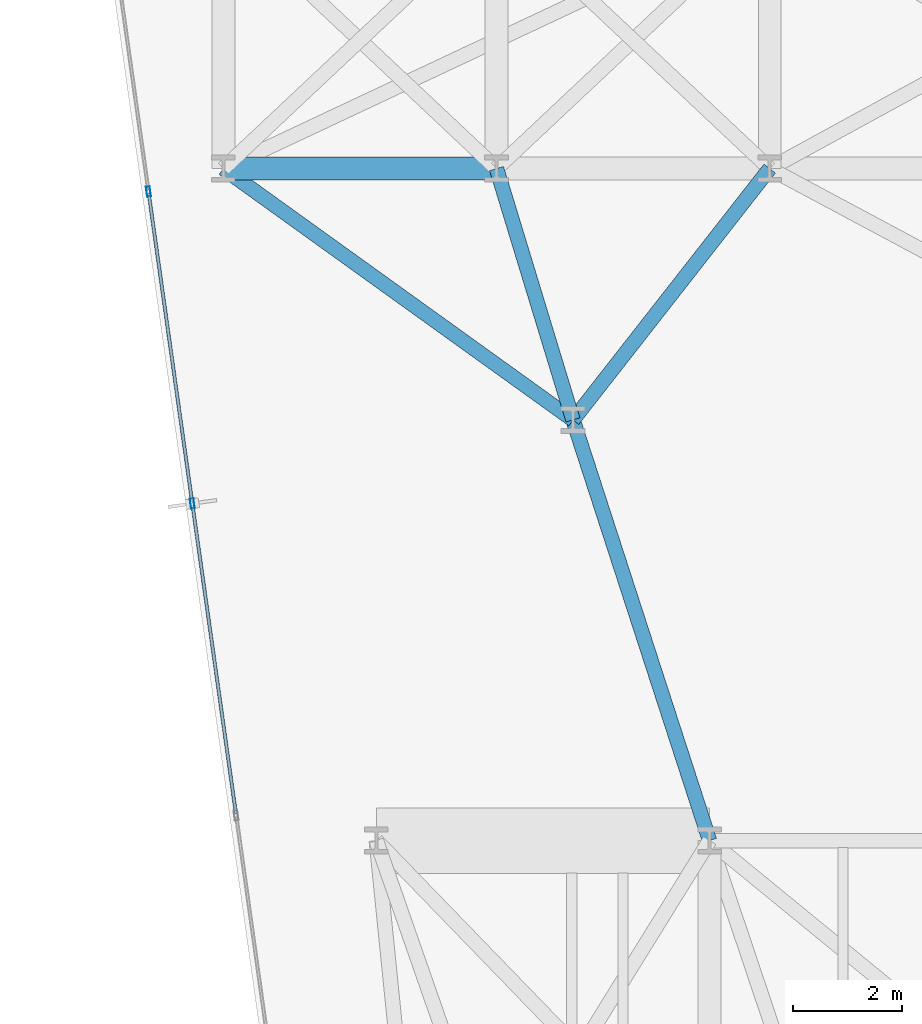
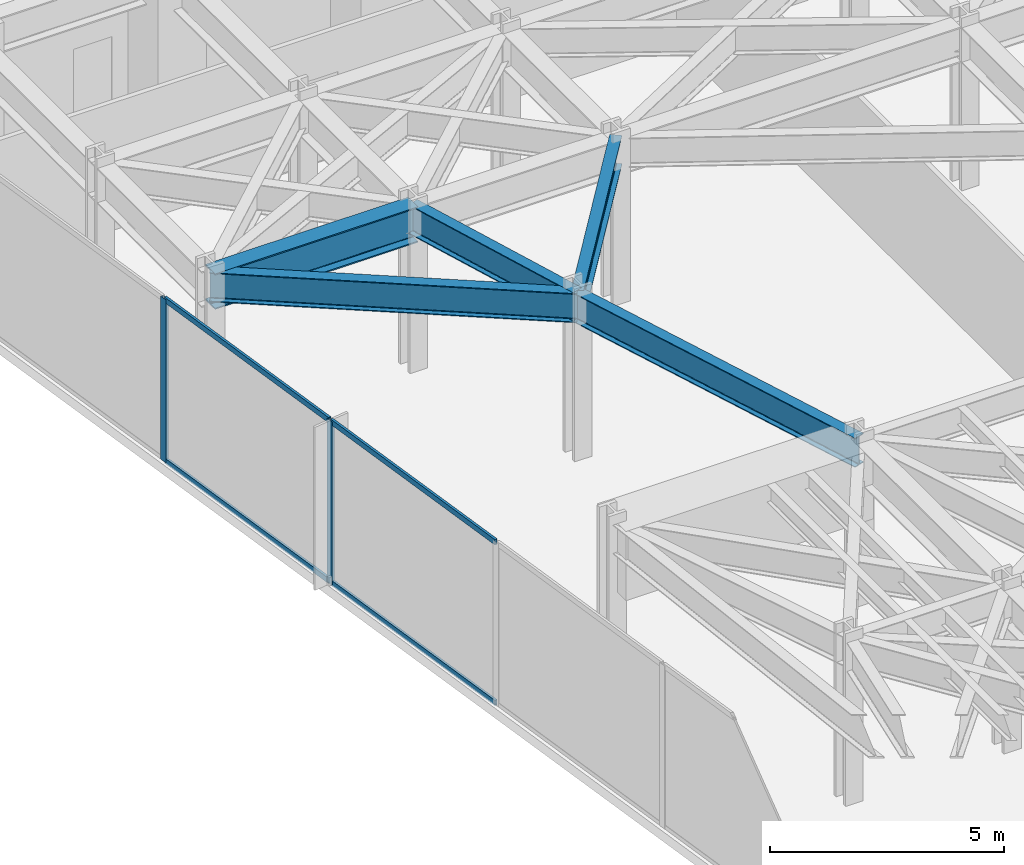
# One storey, part 7 of 28: 6 members, 5 beams, 1 element without a shape of its own.
"""IFC4 building model written with IfcOpenShell, lengths in metres."""

import ifcopenshell
import ifcopenshell.guid

model = None  # the IFC model being written
_history = None  # IfcOwnerHistory: only IFC2X3 demands one
_inside = {}  # id of a spatial element -> (the spatial element, [elements in it])
_under = {}  # id of a project, library or spatial element -> (it, [spatial elements below it])
_declared = {}  # id of a project -> (the project, [libraries it declares])
_typed = {}  # id of a type object -> (the type object, [elements of that type])
_made_of = {}  # id of a material, layer set ... -> (it, [elements and type objects made of it])


def new_model(schema):
    """Start an empty IFC model of exactly this schema.

    Asked for "IFC4X3", IfcOpenShell would pick the latest addendum, in which some entities
    have other attributes; the version numbers below select the first issue.
    IFC2X3 requires an IfcOwnerHistory on every rooted entity: one is made here for all.
    """
    global model, _history
    if schema == "IFC4X3":
        model = ifcopenshell.file(schema_version=(4, 3, 0, 0))
    else:
        model = ifcopenshell.file(schema=schema)
    _inside.clear()
    _under.clear()
    _declared.clear()
    _typed.clear()
    _made_of.clear()
    _history = None
    if model.schema == "IFC2X3":
        org = make("IfcOrganization", Name="unknown")
        user = make(
            "IfcPersonAndOrganization",
            ThePerson=make("IfcPerson", FamilyName="unknown"),
            TheOrganization=org,
        )
        app = make(
            "IfcApplication",
            ApplicationDeveloper=org,
            Version="unknown",
            ApplicationFullName="unknown",
            ApplicationIdentifier="unknown",
        )
        _history = make(
            "IfcOwnerHistory",
            OwningUser=user,
            OwningApplication=app,
            ChangeAction="ADDED",
            CreationDate=0,
        )
    return model


def make(cls, **values):
    """One entity of the class cls with the attributes given. An attribute that is None is left unset."""
    return model.create_entity(
        cls, **{name: value for name, value in values.items() if value is not None}
    )


def rooted(cls, **values):
    """An entity with a GlobalId (a new one), such as an element, a storey or a relation."""
    return make(cls, GlobalId=ifcopenshell.guid.new(), OwnerHistory=_history, **values)


def si_unit(unit_type, name, prefix=None):
    """IfcSIUnit, for example si_unit("LENGTHUNIT", "METRE", prefix="MILLI")."""
    return make("IfcSIUnit", UnitType=unit_type, Prefix=prefix, Name=name)


def assignment(units):
    """IfcUnitAssignment: the units of a project."""
    return None if units is None else make("IfcUnitAssignment", Units=units)


def point(xyz):
    """IfcCartesianPoint."""
    return None if xyz is None else make("IfcCartesianPoint", Coordinates=xyz)


def direction(xyz):
    """IfcDirection."""
    return None if xyz is None else make("IfcDirection", DirectionRatios=xyz)


def frame(location, z_axis=None, x_axis=None):
    """IfcAxis2Placement3D, a coordinate frame: its origin and axes. An axis left out is left unset."""
    return make(
        "IfcAxis2Placement3D",
        Location=point(location),
        Axis=direction(z_axis),
        RefDirection=direction(x_axis),
    )


def frame_2d(location, x_axis=None):
    """IfcAxis2Placement2D, a coordinate frame in the plane: its origin and x axis."""
    return make(
        "IfcAxis2Placement2D", Location=point(location), RefDirection=direction(x_axis)
    )


def origin():
    """The frame at (0, 0, 0) with its axes left unset."""
    return frame((0.0, 0.0, 0.0))


def origin_2d():
    """The frame at (0, 0) in the plane with its x axis left unset."""
    return frame_2d((0.0, 0.0))


def place(relative_to, where):
    """IfcLocalPlacement: puts the frame where relative to a parent placement (None: the world)."""
    return make(
        "IfcLocalPlacement", PlacementRelTo=relative_to, RelativePlacement=where
    )


def context(
    kind, dimensions, precision=None, world=None, true_north=None, identifier=None
):
    """IfcGeometricRepresentationContext, for example the 3D "Model" context."""
    return make(
        "IfcGeometricRepresentationContext",
        ContextIdentifier=identifier,
        ContextType=kind,
        CoordinateSpaceDimension=dimensions,
        Precision=precision,
        WorldCoordinateSystem=world,
        TrueNorth=true_north,
    )


def subcontext(parent, identifier, kind, view, scale=None):
    """IfcGeometricRepresentationSubContext, for example "Body" below "Model"."""
    return make(
        "IfcGeometricRepresentationSubContext",
        ContextIdentifier=identifier,
        ContextType=kind,
        ParentContext=parent,
        TargetScale=scale,
        TargetView=view,
    )


def project(units=None, contexts=None):
    """IfcProject with its units and contexts."""
    return rooted(
        "IfcProject",
        Name="project",
        RepresentationContexts=contexts,
        UnitsInContext=assignment(units),
    )


def spatial(cls, under=None, at=None, **own):
    """A site, building, storey or space (cls), placed at a placement, below another one or the project."""
    s = rooted(cls, ObjectPlacement=at, **own)
    if under is not None:
        _under.setdefault(under.id(), (under, []))[1].append(s)
    return s


def profile(cls, at=None, kind="AREA", **sizes):
    """A parametric profile (cls). Its sizes go by their IFC names, for example OverallWidth=200.0."""
    return make(cls, ProfileType=kind, Position=at, **sizes)


def hollow_rectangle(**sizes):
    """IfcRectangleHollowProfileDef."""
    return profile("IfcRectangleHollowProfileDef", **sizes)


def i_section(**sizes):
    """IfcIShapeProfileDef."""
    return profile("IfcIShapeProfileDef", **sizes)


def extrude(swept, where, along, depth):
    """IfcExtrudedAreaSolid: the profile swept, set in the frame where, extruded along a direction by depth."""
    return make(
        "IfcExtrudedAreaSolid",
        SweptArea=swept,
        Position=where,
        ExtrudedDirection=direction(along),
        Depth=depth,
    )


def shape(context_of_items, identifier, shape_type, items):
    """IfcShapeRepresentation: the items that make up one representation, for example the "Body"."""
    return make(
        "IfcShapeRepresentation",
        ContextOfItems=context_of_items,
        RepresentationIdentifier=identifier,
        RepresentationType=shape_type,
        Items=items,
    )


def material(Name=None, Category=None):
    """IfcMaterial."""
    return make("IfcMaterial", Name=Name, Category=Category)


def layer(
    of_material, thickness, ventilated=None, Name=None, Category=None, Priority=None
):
    """IfcMaterialLayer: one layer of a wall or slab, of a material (None: an air gap)."""
    return make(
        "IfcMaterialLayer",
        Material=of_material,
        LayerThickness=thickness,
        IsVentilated=ventilated,
        Name=Name,
        Category=Category,
        Priority=Priority,
    )


def layer_set(layers, Name=None):
    """IfcMaterialLayerSet."""
    return make("IfcMaterialLayerSet", MaterialLayers=layers, LayerSetName=Name)


def material_profile(
    of_material, cross_section, Name=None, Category=None, Priority=None
):
    """IfcMaterialProfile: a cross section and its material."""
    return make(
        "IfcMaterialProfile",
        Name=Name,
        Material=of_material,
        Profile=cross_section,
        Priority=Priority,
        Category=Category,
    )


def profile_set(profiles, Name=None, composite=None):
    """IfcMaterialProfileSet."""
    return make(
        "IfcMaterialProfileSet",
        Name=Name,
        MaterialProfiles=profiles,
        CompositeProfile=composite,
    )


def made_of(thing, what):
    """Note that an element or type object is made of a material, layer set ...; save() writes the relation."""
    if what is not None:
        _made_of.setdefault(what.id(), (what, []))[1].append(thing)
    return thing


def type_object(cls, material=None, **own):
    """A type object (cls), such as IfcWallType, which elements share."""
    return made_of(rooted(cls, **own), material)


def element(
    cls,
    number,
    at=None,
    inside=None,
    cuts=None,
    type_object=None,
    material=None,
    context=None,
    identifier="Body",
    shape_type=None,
    held_by="IfcProductDefinitionShape",
    body=None,
    shapes=None,
    **own,
):
    """One element of the class cls, such as IfcWall. Its Tag is "e" and its number.

    at: its placement. inside: the storey or other place that contains it. cuts: it is an
    opening in that element (IfcRelVoidsElement). A single representation is given by context,
    identifier, shape_type and body (its items); several are given by shapes. held_by: the class
    of the entity that holds the representations. save() writes the other relations.
    """
    e = rooted(cls, Tag="e%d" % number, ObjectPlacement=at, **own)
    if body is not None:
        shapes = [shape(context, identifier, shape_type, body)]
    if shapes is not None:
        e.Representation = make(held_by, Representations=shapes)
    if inside is not None:
        _inside.setdefault(inside.id(), (inside, []))[1].append(e)
    if cuts is not None:
        rooted(
            "IfcRelVoidsElement", RelatingBuildingElement=cuts, RelatedOpeningElement=e
        )
    if type_object is not None:
        _typed.setdefault(type_object.id(), (type_object, []))[1].append(e)
    return made_of(e, material)


def aggregate(whole, parts):
    """IfcRelAggregates: a whole, such as a stair, and the parts it consists of."""
    return rooted("IfcRelAggregates", RelatingObject=whole, RelatedObjects=parts)


def save(model, path):
    """Write the relations noted so far, then the file.

    IfcRelAggregates (storeys below a building ...), IfcRelContainedInSpatialStructure (elements
    in a storey), IfcRelDefinesByType, IfcRelAssociatesMaterial and IfcRelDeclares: one each for
    every whole, place, type object, material and project.
    """
    for whole, parts in _under.values():
        aggregate(whole, parts)
    for where, things in _inside.values():
        rooted(
            "IfcRelContainedInSpatialStructure",
            RelatedElements=things,
            RelatingStructure=where,
        )
    for kind, things in _typed.values():
        rooted("IfcRelDefinesByType", RelatedObjects=things, RelatingType=kind)
    for what, things in _made_of.values():
        rooted("IfcRelAssociatesMaterial", RelatedObjects=things, RelatingMaterial=what)
    for by, libraries in _declared.values():
        rooted("IfcRelDeclares", RelatingContext=by, RelatedDefinitions=libraries)
    model.write(path)


model = new_model("IFC4")

# Units and contexts
model_context = context("Model", 3, precision=1e-05, world=origin(), true_north=direction((0.0, 1.0)))
body_context = subcontext(model_context, "Body", "Model", "MODEL_VIEW")
ifc_project = project(units=[si_unit("LENGTHUNIT", "METRE"), si_unit("AREAUNIT", "SQUARE_METRE"), si_unit("VOLUMEUNIT", "CUBIC_METRE"), si_unit("PLANEANGLEUNIT", "RADIAN"), si_unit("MASSUNIT", "GRAM", prefix="KILO")], contexts=[model_context])

# Site, building, storey
site_placement = place(None, origin())
site = spatial("IfcSite", under=ifc_project, at=site_placement, CompositionType="ELEMENT")
building_placement = place(site_placement, origin())
building = spatial("IfcBuilding", under=site, at=building_placement, Name="Kravanh Interchange Tower", CompositionType="ELEMENT")
storey_placement = place(building_placement, frame((0.0, 0.0, 91.5)))
storey = spatial("IfcBuildingStorey", under=building, at=storey_placement, Name="L21", CompositionType="ELEMENT", Elevation=91.5)

# Curtain wall, members
ifc_material_1 = material(Name="Anodised Bronze Aluminium", Category="aluminium")
ifc_layer = layer(ifc_material_1, 0.179931640625)
ifc_layer_set = layer_set([ifc_layer], Name="Unitised Curtain Wall System CW-SKY Sky Observatory")
curtain_wall_type = type_object("IfcCurtainWallType", Name="Unitised Curtain Wall System CW-SKY Sky Observatory", PredefinedType="NOTDEFINED", material=ifc_layer_set)
curtain_wall_placement = place(storey_placement, origin())
curtain_wall = element("IfcCurtainWall", 1, at=curtain_wall_placement, inside=storey, type_object=curtain_wall_type, Name="L21 Unitised Curtain Wall CW-L21-01", PredefinedType="NOTDEFINED")
ifc_material_2 = material(Name="Anodised Bronze Aluminium", Category="aluminium")
ifc_material_profile_1 = material_profile(ifc_material_2, hollow_rectangle(XDim=0.070068359375, YDim=0.179931640625, WallThickness=0.00390625, at=origin_2d()), Name="ALU70X180X4")
ifc_profile_set_1 = profile_set([ifc_material_profile_1], Name="Anodised Bronze Aluminium")
member_type_1 = type_object("IfcMemberType", Name="Curtain Wall Mullion ALU70X180X4 Bronze", PredefinedType="MULLION", material=ifc_profile_set_1)
member_1_placement = place(storey_placement, frame((8.03271484375, 20.66845703125, 0.0), z_axis=(0.0, 0.0, 1.0), x_axis=(-0.990267585682, -0.139176538065, 0.0)))
member_1 = element("IfcMember", 2, at=member_1_placement, type_object=member_type_1, Name="CW-SKY mullion 4", PredefinedType="MULLION", context=body_context, shape_type="SweptSolid", body=[
    extrude(hollow_rectangle(XDim=0.070068359375, YDim=0.179931640625, WallThickness=0.00390625, at=origin_2d()), origin(), (0.0, 0.0, 1.0), 4.25),
])
member_2_placement = place(storey_placement, frame((7.22998046875, 26.37890625, 0.0), z_axis=(0.0, 0.0, 1.0), x_axis=(-0.990267585682, -0.139176538065, 0.0)))
member_2 = element("IfcMember", 3, at=member_2_placement, type_object=member_type_1, Name="CW-SKY mullion 5", PredefinedType="MULLION", context=body_context, shape_type="SweptSolid", body=[
    extrude(hollow_rectangle(XDim=0.070068359375, YDim=0.179931640625, WallThickness=0.00390625, at=origin_2d()), origin(), (0.0, 0.0, 1.0), 4.25),
])
ifc_material_3 = material(Name="Anodised Bronze Aluminium", Category="aluminium")
ifc_material_profile_2 = material_profile(ifc_material_3, hollow_rectangle(XDim=0.06005859375, YDim=0.139892578125, WallThickness=0.00390625, at=origin_2d()), Name="ALU60X140X4")
ifc_profile_set_2 = profile_set([ifc_material_profile_2], Name="Anodised Bronze Aluminium")
member_type_2 = type_object("IfcMemberType", Name="Curtain Wall Transom ALU60X140X4 Bronze", PredefinedType="USERDEFINED", material=ifc_profile_set_2)
member_3_placement = place(storey_placement, frame((8.830322265625, 14.992431640625, 0.030029296875), z_axis=(-0.139153051789, 0.990270886262, 0.0), x_axis=(-0.990270886262, -0.139153051789, 0.0)))
member_3 = element("IfcMember", 4, at=member_3_placement, type_object=member_type_2, Name="CW-SKY transom 3.1", ObjectType="TRANSOM", PredefinedType="USERDEFINED", context=body_context, shape_type="SweptSolid", body=[
    extrude(hollow_rectangle(XDim=0.06005859375, YDim=0.139892578125, WallThickness=0.00390625, at=origin_2d()), origin(), (0.0, 0.0, 1.0), 5.69677734375),
])
member_4_placement = place(storey_placement, frame((8.830322265625, 14.992431640625, 4.219970703125), z_axis=(-0.139153051789, 0.990270886262, 0.0), x_axis=(-0.990270886262, -0.139153051789, 0.0)))
member_4 = element("IfcMember", 5, at=member_4_placement, type_object=member_type_2, Name="CW-SKY transom 3.2", ObjectType="TRANSOM", PredefinedType="USERDEFINED", context=body_context, shape_type="SweptSolid", body=[
    extrude(hollow_rectangle(XDim=0.06005859375, YDim=0.139892578125, WallThickness=0.00390625, at=origin_2d()), origin(), (0.0, 0.0, 1.0), 5.69677734375),
])
member_5_placement = place(storey_placement, frame((8.02783203125, 20.703125, 0.030029296875), z_axis=(-0.139200984921, 0.990264149506, 0.0), x_axis=(-0.990264149506, -0.139200984921, 0.0)))
member_5 = element("IfcMember", 6, at=member_5_placement, type_object=member_type_2, Name="CW-SKY transom 4.1", ObjectType="TRANSOM", PredefinedType="USERDEFINED", context=body_context, shape_type="SweptSolid", body=[
    extrude(hollow_rectangle(XDim=0.06005859375, YDim=0.139892578125, WallThickness=0.00390625, at=origin_2d()), origin(), (0.0, 0.0, 1.0), 5.696533203125),
])
member_6_placement = place(storey_placement, frame((8.02783203125, 20.703125, 4.219970703125), z_axis=(-0.139200984921, 0.990264149506, 0.0), x_axis=(-0.990264149506, -0.139200984921, 0.0)))
member_6 = element("IfcMember", 7, at=member_6_placement, type_object=member_type_2, Name="CW-SKY transom 4.2", ObjectType="TRANSOM", PredefinedType="USERDEFINED", context=body_context, shape_type="SweptSolid", body=[
    extrude(hollow_rectangle(XDim=0.06005859375, YDim=0.139892578125, WallThickness=0.00390625, at=origin_2d()), origin(), (0.0, 0.0, 1.0), 5.696533203125),
])
aggregate(curtain_wall, [member_1, member_2, member_3, member_4, member_5, member_6])

# Beams
ifc_material_4 = material(Name="Structural Steel S355", Category="steel")
ifc_material_profile_3 = material_profile(ifc_material_4, i_section(OverallWidth=0.41796875, OverallDepth=0.927001953125, WebThickness=0.019287109375, FlangeThickness=0.031982421875, FilletRadius=0.028076171875, at=origin_2d()), Name="W36X231")
ifc_profile_set_3 = profile_set([ifc_material_profile_3], Name="Structural Steel S355")
beam_type_1 = type_object("IfcBeamType", Name="Floor Beam W36X231 Structural Steel S355", PredefinedType="BEAM", material=ifc_profile_set_3)
beam_1_placement = place(storey_placement, frame((8.60009765625, 26.800048828125, 3.78662109375), z_axis=(1.0, 0.0, 0.0), x_axis=(0.0, 1.0, 0.0)))
element("IfcBeam", 8, at=beam_1_placement, inside=storey, type_object=beam_type_1, Name="L21 Primary Floor Girder 67", PredefinedType="BEAM", context=body_context, shape_type="SweptSolid", body=[
    extrude(i_section(OverallWidth=0.41796875, OverallDepth=0.927001953125, WebThickness=0.019287109375, FlangeThickness=0.031982421875, FilletRadius=0.028076171875, at=origin_2d()), origin(), (0.0, 0.0, 1.0), 5.0),
])
ifc_material_5 = material(Name="Structural Steel S355", Category="steel")
ifc_material_profile_4 = material_profile(ifc_material_5, i_section(OverallWidth=0.26708984375, OverallDepth=0.761962890625, WebThickness=0.014404296875, FlangeThickness=0.021484375, FilletRadius=0.02490234375, at=origin_2d()), Name="W30X116")
ifc_profile_set_4 = profile_set([ifc_material_profile_4], Name="Structural Steel S355")
beam_type_2 = type_object("IfcBeamType", Name="Floor Spandrel W30X116 Structural Steel S355", PredefinedType="SPANDREL", material=ifc_profile_set_4)
beam_2_placement = place(storey_placement, frame((15.0, 22.199951171875, 3.868896484375), z_axis=(-0.291137370727, 0.956681259023, 0.0), x_axis=(-0.956681259023, -0.291137370727, 0.0)))
element("IfcBeam", 9, at=beam_2_placement, inside=storey, type_object=beam_type_2, Name="L21 Perimeter Spandrel 50", PredefinedType="SPANDREL", context=body_context, shape_type="SweptSolid", body=[
    extrude(i_section(OverallWidth=0.26708984375, OverallDepth=0.761962890625, WebThickness=0.014404296875, FlangeThickness=0.021484375, FilletRadius=0.02490234375, at=origin_2d()), origin(), (0.0, 0.0, 1.0), 4.808349609375),
])
beam_3_placement = place(storey_placement, frame((15.0, 22.199951171875, 3.868896484375), z_axis=(0.616310515553, 0.787503237085, 0.0), x_axis=(-0.787503237085, 0.616310515553, 0.0)))
element("IfcBeam", 10, at=beam_3_placement, inside=storey, type_object=beam_type_2, Name="L21 Perimeter Spandrel 51", PredefinedType="SPANDREL", context=body_context, shape_type="SweptSolid", body=[
    extrude(i_section(OverallWidth=0.26708984375, OverallDepth=0.761962890625, WebThickness=0.014404296875, FlangeThickness=0.021484375, FilletRadius=0.02490234375, at=origin_2d()), origin(), (0.0, 0.0, 1.0), 5.84130859375),
])
beam_4_placement = place(storey_placement, frame((15.0, 22.199951171875, 3.868896484375), z_axis=(-0.812005278585, 0.583650089994, 0.0), x_axis=(-0.583650089994, -0.812005278585, 0.0)))
element("IfcBeam", 11, at=beam_4_placement, inside=storey, type_object=beam_type_2, Name="L21 Perimeter Spandrel 52", PredefinedType="SPANDREL", context=body_context, shape_type="SweptSolid", body=[
    extrude(i_section(OverallWidth=0.26708984375, OverallDepth=0.761962890625, WebThickness=0.014404296875, FlangeThickness=0.021484375, FilletRadius=0.02490234375, at=origin_2d()), origin(), (0.0, 0.0, 1.0), 7.881591796875),
])
beam_5_placement = place(storey_placement, frame((15.0, 22.199951171875, 3.868896484375), z_axis=(0.30880852537, -0.951124226723, 0.0), x_axis=(0.951124226723, 0.30880852537, 0.0)))
element("IfcBeam", 12, at=beam_5_placement, inside=storey, type_object=beam_type_2, Name="L21 Perimeter Spandrel 53", PredefinedType="SPANDREL", context=body_context, shape_type="SweptSolid", body=[
    extrude(i_section(OverallWidth=0.26708984375, OverallDepth=0.761962890625, WebThickness=0.014404296875, FlangeThickness=0.021484375, FilletRadius=0.02490234375, at=origin_2d()), origin(), (0.0, 0.0, 1.0), 8.095703125),
])

save(model, "model.ifc")
